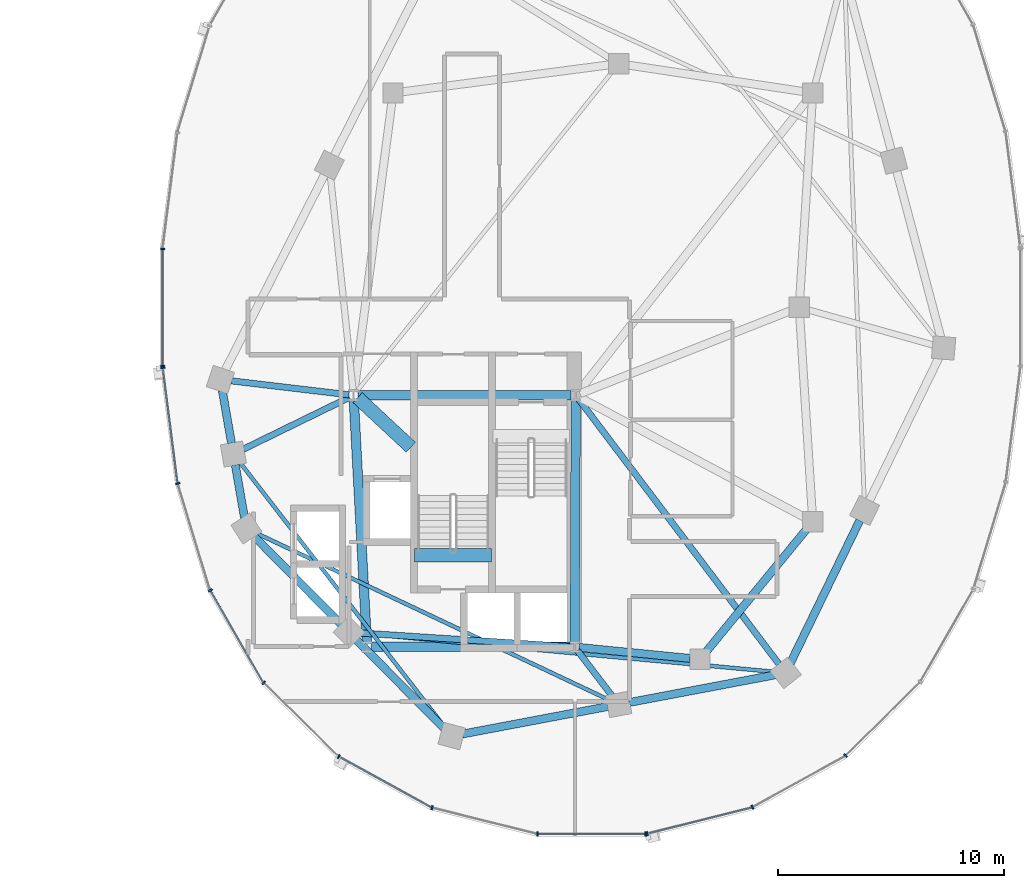
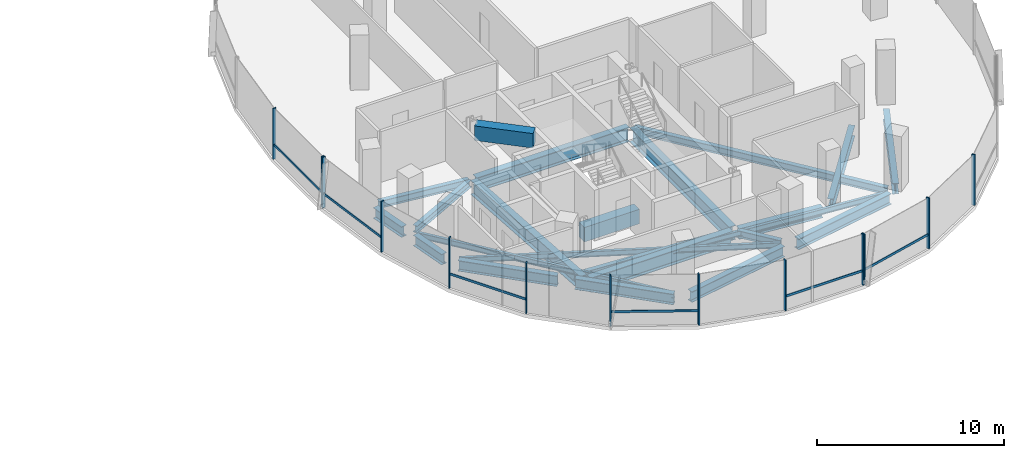
# One storey, part 6 of 21: 23 beams, 19 members, 3 elements without a shape of their own.
"""IFC4 building model written with IfcOpenShell, lengths in metres."""

from ifc_helpers import new_model, si_unit, direction, frame, origin, origin_2d, place, context, subcontext, project, spatial, rectangle, i_section, extrude, material, material_profile, profile_set, type_object, element, aggregate, save


model = new_model("IFC4")

# Units and contexts
model_context = context("Model", 3, precision=1e-05, world=origin(), true_north=direction((0.0, 1.0)))
body_context = subcontext(model_context, "Body", "Model", "MODEL_VIEW")
ifc_project = project(units=[si_unit("LENGTHUNIT", "METRE"), si_unit("AREAUNIT", "SQUARE_METRE"), si_unit("VOLUMEUNIT", "CUBIC_METRE"), si_unit("PLANEANGLEUNIT", "RADIAN"), si_unit("MASSUNIT", "GRAM", prefix="KILO"), si_unit("THERMODYNAMICTEMPERATUREUNIT", "KELVIN"), si_unit("POWERUNIT", "WATT")], contexts=[model_context])

# Site, building, storey
site_placement = place(None, origin())
site = spatial("IfcSite", under=ifc_project, at=site_placement, CompositionType="ELEMENT")
building_placement = place(site_placement, origin())
building = spatial("IfcBuilding", under=site, at=building_placement, Name="Cundina Bronze Exchange", CompositionType="ELEMENT")
storey_placement = place(building_placement, frame((0.0, 0.0, 183.60009765625)))
storey = spatial("IfcBuildingStorey", under=building, at=storey_placement, Name="L48", CompositionType="ELEMENT", Elevation=183.60009765625)

# Beams
ifc_material_1 = material(Name="Concrete C60/75", Category="concrete")
ifc_material_profile_1 = material_profile(ifc_material_1, rectangle(XDim=0.60009765625, YDim=0.949951171875, at=origin_2d()), Name="RC600X950", Category="concrete")
ifc_profile_set_1 = profile_set([ifc_material_profile_1], Name="Concrete C60/75")
beam_type_1 = type_object("IfcBeamType", Name="BM-COUP-RC950", PredefinedType="LINTEL", material=ifc_profile_set_1)
beam_1_placement = place(storey_placement, frame((24.159912109375, -10.97998046875, -0.47509765625), z_axis=(1.0, 0.0, 0.0), x_axis=(0.0, 1.0, 0.0)))
element("IfcBeam", 1, at=beam_1_placement, inside=storey, type_object=beam_type_1, Name="L48 Stair E2 Landing Header Beam", PredefinedType="LINTEL", context=body_context, shape_type="SweptSolid", body=[
    extrude(rectangle(XDim=0.60009765625, YDim=0.949951171875, at=origin_2d()), origin(), (0.0, 0.0, 1.0), 3.400146484375),
])
beam_2_placement = place(storey_placement, frame((21.6298828125, -4.0, 2.844970703125), z_axis=(0.731490439815, -0.681851696822, 0.0), x_axis=(0.681851696822, 0.731490439815, 0.0)))
element("IfcBeam", 2, at=beam_2_placement, inside=storey, type_object=beam_type_1, Name="L48 E Core Shear Coupling Lintel Beam", PredefinedType="LINTEL", context=body_context, shape_type="SweptSolid", body=[
    extrude(rectangle(XDim=0.60009765625, YDim=0.949951171875, at=origin_2d()), origin(), (0.0, 0.0, 1.0), 3.226318359375),
])
ifc_material_2 = material(Name="Steel ASTM A992 Grade 50", Category="steel")
ifc_material_profile_2 = material_profile(ifc_material_2, i_section(OverallWidth=0.280029296875, OverallDepth=0.462890625, WebThickness=0.0107421875, FlangeThickness=0.017333984375, FilletRadius=0.011962890625, at=origin_2d()), Name="W18X76", Category="steel")
ifc_profile_set_2 = profile_set([ifc_material_profile_2], Name="Steel ASTM A992 Grade 50")
beam_type_2 = type_object("IfcBeamType", Name="BM-FLR-W18A", PredefinedType="BEAM", material=ifc_profile_set_2)
beam_3_placement = place(storey_placement, frame((21.247314453125, -3.8759765625, -0.4716796875), z_axis=(-0.993036158382, 0.11780996624, 0.0), x_axis=(-0.11780996624, -0.993036158382, 0.0)))
element("IfcBeam", 3, at=beam_3_placement, inside=storey, type_object=beam_type_2, Name="L48 Leg E Chordal Floor Beam 00", PredefinedType="BEAM", context=body_context, shape_type="SweptSolid", body=[
    extrude(i_section(OverallWidth=0.280029296875, OverallDepth=0.462890625, WebThickness=0.0107421875, FlangeThickness=0.017333984375, FilletRadius=0.011962890625, at=origin_2d()), origin(), (0.0, 0.0, 1.0), 5.249267578125),
])
beam_4_placement = place(storey_placement, frame((21.2666015625, -3.989501953125, -0.4716796875), z_axis=(-0.898604300669, -0.438759969481, 0.0), x_axis=(0.438759969481, -0.898604300669, 0.0)))
element("IfcBeam", 4, at=beam_4_placement, inside=storey, type_object=beam_type_2, Name="L48 Leg E Chordal Floor Beam 01", PredefinedType="BEAM", context=body_context, shape_type="SweptSolid", body=[
    extrude(i_section(OverallWidth=0.280029296875, OverallDepth=0.462890625, WebThickness=0.0107421875, FlangeThickness=0.017333984375, FilletRadius=0.011962890625, at=origin_2d()), origin(), (0.0, 0.0, 1.0), 5.23388671875),
])
beam_5_placement = place(storey_placement, frame((31.04638671875, -15.036865234375, -0.4716796875), z_axis=(-0.99789334888, 0.064875760192, 0.0), x_axis=(-0.064875760192, -0.99789334888, 0.0)))
element("IfcBeam", 5, at=beam_5_placement, inside=storey, type_object=beam_type_2, Name="L48 Leg E Chordal Floor Beam 03", PredefinedType="BEAM", context=body_context, shape_type="SweptSolid", body=[
    extrude(i_section(OverallWidth=0.280029296875, OverallDepth=0.462890625, WebThickness=0.0107421875, FlangeThickness=0.017333984375, FilletRadius=0.011962890625, at=origin_2d()), origin(), (0.0, 0.0, 1.0), 9.328857421875),
])
beam_6_placement = place(storey_placement, frame((31.373779296875, -15.2119140625, -0.4716796875), z_axis=(0.607450107571, -0.794357832977, 0.0), x_axis=(0.794357832977, 0.607450107571, 0.0)))
element("IfcBeam", 6, at=beam_6_placement, inside=storey, type_object=beam_type_2, Name="L48 Leg E Chordal Floor Beam 05", PredefinedType="BEAM", context=body_context, shape_type="SweptSolid", body=[
    extrude(i_section(OverallWidth=0.280029296875, OverallDepth=0.462890625, WebThickness=0.0107421875, FlangeThickness=0.017333984375, FilletRadius=0.011962890625, at=origin_2d()), origin(), (0.0, 0.0, 1.0), 2.518310546875),
])
beam_7_placement = place(storey_placement, frame((31.423095703125, -4.062744140625, -0.4716796875), z_axis=(0.603103901721, -0.797662637792, 0.0), x_axis=(0.797662637792, 0.603103901721, 0.0)))
element("IfcBeam", 7, at=beam_7_placement, inside=storey, type_object=beam_type_2, Name="L48 Leg E Chordal Floor Beam 06", PredefinedType="BEAM", context=body_context, shape_type="SweptSolid", body=[
    extrude(i_section(OverallWidth=0.280029296875, OverallDepth=0.462890625, WebThickness=0.0107421875, FlangeThickness=0.017333984375, FilletRadius=0.011962890625, at=origin_2d()), origin(), (0.0, 0.0, 1.0), 14.72802734375),
])
ifc_material_profile_3 = material_profile(ifc_material_2, i_section(OverallWidth=0.172119140625, OverallDepth=0.35791015625, WebThickness=0.0078125, FlangeThickness=0.01318359375, FilletRadius=0.010009765625, at=origin_2d()), Name="W14X38", Category="steel")
ifc_profile_set_3 = profile_set([ifc_material_profile_3], Name="Steel ASTM A992 Grade 50")
beam_type_3 = type_object("IfcBeamType", Name="BM-JST-W14", PredefinedType="JOIST", material=ifc_profile_set_3)
beam_8_placement = place(storey_placement, frame((16.423583984375, -6.885986328125, -0.419189453125), z_axis=(0.61208354334, -0.790793105668, 0.0), x_axis=(0.790793105668, 0.61208354334, 0.0)))
element("IfcBeam", 8, at=beam_8_placement, inside=storey, type_object=beam_type_3, Name="L48 Leg E Lobe Floor Joist 01-04", PredefinedType="JOIST", context=body_context, shape_type="SweptSolid", body=[
    extrude(i_section(OverallWidth=0.172119140625, OverallDepth=0.35791015625, WebThickness=0.0078125, FlangeThickness=0.01318359375, FilletRadius=0.010009765625, at=origin_2d()), origin(), (0.0, 0.0, 1.0), 14.830810546875),
])
beam_9_placement = place(storey_placement, frame((17.14111328125, -10.008544921875, -0.419189453125), z_axis=(0.904074252188, -0.427375416385, 0.0), x_axis=(0.427375416385, 0.904074252188, 0.0)))
element("IfcBeam", 9, at=beam_9_placement, inside=storey, type_object=beam_type_3, Name="L48 Leg E Lobe Floor Joist 02-05", PredefinedType="JOIST", context=body_context, shape_type="SweptSolid", body=[
    extrude(i_section(OverallWidth=0.172119140625, OverallDepth=0.35791015625, WebThickness=0.0078125, FlangeThickness=0.01318359375, FilletRadius=0.010009765625, at=origin_2d()), origin(), (0.0, 0.0, 1.0), 17.274658203125),
])
beam_10_placement = place(storey_placement, frame((21.73583984375, -14.4453125, -0.419189453125), z_axis=(0.995701840093, -0.092616659595, 0.0), x_axis=(0.092616659595, 0.995701840093, 0.0)))
element("IfcBeam", 10, at=beam_10_placement, inside=storey, type_object=beam_type_3, Name="L48 Leg E Lobe Floor Joist 03-06", PredefinedType="JOIST", context=body_context, shape_type="SweptSolid", body=[
    extrude(i_section(OverallWidth=0.172119140625, OverallDepth=0.35791015625, WebThickness=0.0078125, FlangeThickness=0.01318359375, FilletRadius=0.010009765625, at=origin_2d()), origin(), (0.0, 0.0, 1.0), 18.45751953125),
])
ifc_material_profile_4 = material_profile(ifc_material_2, i_section(OverallWidth=0.35498046875, OverallDepth=0.695068359375, WebThickness=0.015380859375, FlangeThickness=0.02490234375, FilletRadius=0.01806640625, at=origin_2d()), Name="W27X146", Category="steel")
ifc_profile_set_4 = profile_set([ifc_material_profile_4], Name="Steel ASTM A992 Grade 50")
beam_type_4 = type_object("IfcBeamType", Name="BM-RING-W27", PredefinedType="USERDEFINED", material=ifc_profile_set_4)
beam_11_placement = place(storey_placement, frame((31.452880859375, -15.070068359375, -0.587646484375), z_axis=(0.995123020608, -0.098641643622, 0.0), x_axis=(0.098641643622, 0.995123020608, 0.0)))
element("IfcBeam", 11, at=beam_11_placement, inside=storey, type_object=beam_type_4, Name="L48 E Inner Structural Ring Girder 01", ObjectType="GIRDER", PredefinedType="USERDEFINED", context=body_context, shape_type="SweptSolid", body=[
    extrude(i_section(OverallWidth=0.35498046875, OverallDepth=0.695068359375, WebThickness=0.015380859375, FlangeThickness=0.02490234375, FilletRadius=0.01806640625, at=origin_2d()), origin(), (0.0, 0.0, 1.0), 4.935302734375),
])
beam_12_placement = place(storey_placement, frame((37.07763671875, -15.26123046875, -0.587646484375), z_axis=(0.633912590175, 0.77340469873, 0.0), x_axis=(-0.77340469873, 0.633912590175, 0.0)))
element("IfcBeam", 12, at=beam_12_placement, inside=storey, type_object=beam_type_4, Name="L48 E Inner Structural Ring Girder 02", ObjectType="GIRDER", PredefinedType="USERDEFINED", context=body_context, shape_type="SweptSolid", body=[
    extrude(i_section(OverallWidth=0.35498046875, OverallDepth=0.695068359375, WebThickness=0.015380859375, FlangeThickness=0.02490234375, FilletRadius=0.01806640625, at=origin_2d()), origin(), (0.0, 0.0, 1.0), 7.01123046875),
])
for number, where, z_axis, x_axis, name in (
    (13, (15.6337890625, -3.680908203125, -0.587646484375), (0.171666718895, -0.985155083032, 0.0), (0.985155083032, 0.171666718895, 0.0), "L48 E Perimeter Ring Girder 00"),
    (14, (16.208740234375, -6.980712890625, -0.587646484375), (0.171666718895, -0.985155083032, 0.0), (0.985155083032, 0.171666718895, 0.0), "L48 E Perimeter Ring Girder 01"),
):
    element("IfcBeam", number, at=place(storey_placement, frame(where, z_axis=z_axis, x_axis=x_axis)), inside=storey, type_object=beam_type_4, Name=name, ObjectType="GIRDER", PredefinedType="USERDEFINED", context=body_context, shape_type="SweptSolid", body=[
        extrude(i_section(OverallWidth=0.35498046875, OverallDepth=0.695068359375, WebThickness=0.015380859375, FlangeThickness=0.02490234375, FilletRadius=0.01806640625, at=origin_2d()), origin(), (0.0, 0.0, 1.0), 2.37353515625),
    ])
beam_13_placement = place(storey_placement, frame((17.043212890625, -10.14697265625, -0.587646484375), z_axis=(0.703230112979, -0.710962311378, 0.0), x_axis=(0.710962311378, 0.703230112979, 0.0)))
element("IfcBeam", 15, at=beam_13_placement, inside=storey, type_object=beam_type_4, Name="L48 E Perimeter Ring Girder 02", ObjectType="GIRDER", PredefinedType="USERDEFINED", context=body_context, shape_type="SweptSolid", body=[
    extrude(i_section(OverallWidth=0.35498046875, OverallDepth=0.695068359375, WebThickness=0.015380859375, FlangeThickness=0.02490234375, FilletRadius=0.01806640625, at=origin_2d()), origin(), (0.0, 0.0, 1.0), 5.493896484375),
])
beam_14_placement = place(storey_placement, frame((21.59326171875, -14.746826171875, -0.587646484375), z_axis=(0.703207895705, -0.710984286337, 0.0), x_axis=(0.710984286337, 0.703207895705, 0.0)))
element("IfcBeam", 16, at=beam_14_placement, inside=storey, type_object=beam_type_4, Name="L48 E Perimeter Ring Girder 03", ObjectType="GIRDER", PredefinedType="USERDEFINED", context=body_context, shape_type="SweptSolid", body=[
    extrude(i_section(OverallWidth=0.35498046875, OverallDepth=0.695068359375, WebThickness=0.015380859375, FlangeThickness=0.02490234375, FilletRadius=0.01806640625, at=origin_2d()), origin(), (0.0, 0.0, 1.0), 5.494140625),
])
beam_15_placement = place(storey_placement, frame((26.279541015625, -18.9091796875, -0.587646484375), z_axis=(0.982571532667, 0.185884865421, 0.0), x_axis=(-0.185884865421, 0.982571532667, 0.0)))
element("IfcBeam", 17, at=beam_15_placement, inside=storey, type_object=beam_type_4, Name="L48 E Perimeter Ring Girder 04", ObjectType="GIRDER", PredefinedType="USERDEFINED", context=body_context, shape_type="SweptSolid", body=[
    extrude(i_section(OverallWidth=0.35498046875, OverallDepth=0.695068359375, WebThickness=0.015380859375, FlangeThickness=0.02490234375, FilletRadius=0.01806640625, at=origin_2d()), origin(), (0.0, 0.0, 1.0), 6.55517578125),
])
beam_16_placement = place(storey_placement, frame((33.679443359375, -17.50927734375, -0.587646484375), z_axis=(0.982572819495, 0.185878063226, 0.0), x_axis=(-0.185878063226, 0.982572819495, 0.0)))
element("IfcBeam", 18, at=beam_16_placement, inside=storey, type_object=beam_type_4, Name="L48 E Perimeter Ring Girder 05", ObjectType="GIRDER", PredefinedType="USERDEFINED", context=body_context, shape_type="SweptSolid", body=[
    extrude(i_section(OverallWidth=0.35498046875, OverallDepth=0.695068359375, WebThickness=0.015380859375, FlangeThickness=0.02490234375, FilletRadius=0.01806640625, at=origin_2d()), origin(), (0.0, 0.0, 1.0), 6.555419921875),
])
beam_17_placement = place(storey_placement, frame((40.8134765625, -15.760986328125, -0.587646484375), z_axis=(0.437196998825, 0.89936576776, 0.0), x_axis=(-0.89936576776, 0.437196998825, 0.0)))
element("IfcBeam", 19, at=beam_17_placement, inside=storey, type_object=beam_type_4, Name="L48 E Perimeter Ring Girder 06", ObjectType="GIRDER", PredefinedType="USERDEFINED", context=body_context, shape_type="SweptSolid", body=[
    extrude(i_section(OverallWidth=0.35498046875, OverallDepth=0.695068359375, WebThickness=0.015380859375, FlangeThickness=0.02490234375, FilletRadius=0.01806640625, at=origin_2d()), origin(), (0.0, 0.0, 1.0), 7.029541015625),
])
ifc_material_profile_5 = material_profile(ifc_material_2, i_section(OverallWidth=0.41796875, OverallDepth=0.927001953125, WebThickness=0.019287109375, FlangeThickness=0.031982421875, FilletRadius=0.02392578125, at=origin_2d()), Name="W36X231", Category="steel")
ifc_profile_set_5 = profile_set([ifc_material_profile_5], Name="Steel ASTM A992 Grade 50")
beam_type_5 = type_object("IfcBeamType", Name="BM-WRN-W36B", PredefinedType="USERDEFINED", material=ifc_profile_set_5)
beam_18_placement = place(storey_placement, frame((31.095947265625, -3.89990234375, -0.70361328125), z_axis=(-1.0, 0.0, 0.0), x_axis=(0.0, -1.0, 0.0)))
element("IfcBeam", 20, at=beam_18_placement, inside=storey, type_object=beam_type_5, Name="L48 E Core Perimeter Tie Girder 1", ObjectType="GIRDER", PredefinedType="USERDEFINED", context=body_context, shape_type="SweptSolid", body=[
    extrude(i_section(OverallWidth=0.41796875, OverallDepth=0.927001953125, WebThickness=0.019287109375, FlangeThickness=0.031982421875, FilletRadius=0.02392578125, at=origin_2d()), origin(), (0.0, 0.0, 1.0), 9.44189453125),
])
beam_19_placement = place(storey_placement, frame((21.4609375, -4.103759765625, -0.70361328125), z_axis=(0.053739193498, -0.998555005537, 0.0), x_axis=(0.998555005537, 0.053739193498, 0.0)))
element("IfcBeam", 21, at=beam_19_placement, inside=storey, type_object=beam_type_5, Name="L48 E Core Perimeter Tie Girder 2", ObjectType="GIRDER", PredefinedType="USERDEFINED", context=body_context, shape_type="SweptSolid", body=[
    extrude(i_section(OverallWidth=0.41796875, OverallDepth=0.927001953125, WebThickness=0.019287109375, FlangeThickness=0.031982421875, FilletRadius=0.02392578125, at=origin_2d()), origin(), (0.0, 0.0, 1.0), 10.758056640625),
])
beam_20_placement = place(storey_placement, frame((22.25390625, -15.050048828125, -0.70361328125), z_axis=(1.0, 0.0, 0.0), x_axis=(0.0, 1.0, 0.0)))
element("IfcBeam", 22, at=beam_20_placement, inside=storey, type_object=beam_type_5, Name="L48 E Core Perimeter Tie Girder 3", ObjectType="GIRDER", PredefinedType="USERDEFINED", context=body_context, shape_type="SweptSolid", body=[
    extrude(i_section(OverallWidth=0.41796875, OverallDepth=0.927001953125, WebThickness=0.019287109375, FlangeThickness=0.031982421875, FilletRadius=0.02392578125, at=origin_2d()), origin(), (0.0, 0.0, 1.0), 8.7919921875),
])
beam_21_placement = place(storey_placement, frame((31.2509765625, -14.845947265625, -0.70361328125), z_axis=(0.004477329608, 0.99998997671, 0.0), x_axis=(-0.99998997671, 0.004477329608, 0.0)))
element("IfcBeam", 23, at=beam_21_placement, inside=storey, type_object=beam_type_5, Name="L48 E Core Perimeter Tie Girder 4", ObjectType="GIRDER", PredefinedType="USERDEFINED", context=body_context, shape_type="SweptSolid", body=[
    extrude(i_section(OverallWidth=0.41796875, OverallDepth=0.927001953125, WebThickness=0.019287109375, FlangeThickness=0.031982421875, FilletRadius=0.02392578125, at=origin_2d()), origin(), (0.0, 0.0, 1.0), 10.741943359375),
])

# Curtain wall, members
ifc_material_3 = material(Name="Anodised Bronze Aluminium 6063-T6", Category="aluminium")
curtain_wall_type = type_object("IfcCurtainWallType", Name="CWS-WST-PIN", PredefinedType="NOTDEFINED", material=ifc_material_3)
curtain_wall_1_placement = place(storey_placement, origin())
curtain_wall_1 = element("IfcCurtainWall", 24, at=curtain_wall_1_placement, inside=storey, type_object=curtain_wall_type, Name="L48 CW-04 Curtain Wall Run CWR-L48-E2", PredefinedType="NOTDEFINED")
ifc_material_profile_6 = material_profile(ifc_material_3, rectangle(XDim=0.070068359375, YDim=0.18994140625, at=origin_2d()), Name="AL70X190", Category="aluminium")
ifc_profile_set_6 = profile_set([ifc_material_profile_6], Name="Anodised Bronze Aluminium 6063-T6")
member_type_1 = type_object("IfcMemberType", Name="CWM-MUL-190", PredefinedType="MULLION", material=ifc_profile_set_6)
member_1_placement = place(storey_placement, frame((12.992919921875, 2.593017578125, 0.0), z_axis=(0.0, 0.0, 1.0), x_axis=(0.0, -1.0, 0.0)))
member_1 = element("IfcMember", 25, at=member_1_placement, type_object=member_type_1, Name="CW-04 Mullion 7", PredefinedType="MULLION", context=body_context, shape_type="SweptSolid", body=[
    extrude(rectangle(XDim=0.070068359375, YDim=0.18994140625, at=origin_2d()), origin(), (0.0, 0.0, 1.0), 3.31982421875),
])
member_2_placement = place(storey_placement, frame((12.992919921875, -2.593017578125, 0.0), z_axis=(0.0, 0.0, 1.0), x_axis=(0.0, -1.0, 0.0)))
member_2 = element("IfcMember", 26, at=member_2_placement, type_object=member_type_1, Name="CW-04 End Mullion", PredefinedType="MULLION", context=body_context, shape_type="SweptSolid", body=[
    extrude(rectangle(XDim=0.070068359375, YDim=0.18994140625, at=origin_2d()), origin(), (0.0, 0.0, 1.0), 3.31982421875),
])

curtain_wall_2_placement = place(storey_placement, origin())
curtain_wall_2 = element("IfcCurtainWall", 27, at=curtain_wall_2_placement, inside=storey, type_object=curtain_wall_type, Name="L48 CW-04 Curtain Wall Run CWR-L48-E3", PredefinedType="NOTDEFINED")
member_3_placement = place(storey_placement, frame((12.998291015625, -2.676025390625, 0.0), z_axis=(0.0, 0.0, 1.0), x_axis=(0.126545236492, -0.991960837494, 0.0)))
member_3 = element("IfcMember", 28, at=member_3_placement, type_object=member_type_1, Name="CW-04 Mullion 1", PredefinedType="MULLION", context=body_context, shape_type="SweptSolid", body=[
    extrude(rectangle(XDim=0.070068359375, YDim=0.18994140625, at=origin_2d()), origin(), (0.0, 0.0, 1.0), 3.31982421875),
])
member_4_placement = place(storey_placement, frame((13.6591796875, -7.80859375, 0.0), z_axis=(0.0, 0.0, 1.0), x_axis=(0.290034140915, -0.957016299288, 0.0)))
member_4 = element("IfcMember", 29, at=member_4_placement, type_object=member_type_1, Name="CW-04 Mullion 2", PredefinedType="MULLION", context=body_context, shape_type="SweptSolid", body=[
    extrude(rectangle(XDim=0.070068359375, YDim=0.18994140625, at=origin_2d()), origin(), (0.0, 0.0, 1.0), 3.31982421875),
])
member_5_placement = place(storey_placement, frame((15.10205078125, -12.541259765625, 0.0), z_axis=(0.0, 0.0, 1.0), x_axis=(0.498487739754, -0.866896748936, 0.0)))
member_5 = element("IfcMember", 30, at=member_5_placement, type_object=member_type_1, Name="CW-04 Mullion 3", PredefinedType="MULLION", context=body_context, shape_type="SweptSolid", body=[
    extrude(rectangle(XDim=0.070068359375, YDim=0.18994140625, at=origin_2d()), origin(), (0.0, 0.0, 1.0), 3.31982421875),
])
member_6_placement = place(storey_placement, frame((17.469482421875, -16.640380859375, 0.0), z_axis=(0.0, 0.0, 1.0), x_axis=(0.712026045991, -0.702153052995, 0.0)))
member_6 = element("IfcMember", 31, at=member_6_placement, type_object=member_type_1, Name="CW-04 Mullion 4", PredefinedType="MULLION", context=body_context, shape_type="SweptSolid", body=[
    extrude(rectangle(XDim=0.070068359375, YDim=0.18994140625, at=origin_2d()), origin(), (0.0, 0.0, 1.0), 3.31982421875),
])
member_7_placement = place(storey_placement, frame((20.79345703125, -19.906005859375, 0.0), z_axis=(0.0, 0.0, 1.0), x_axis=(0.875885937035, -0.482518212408, 0.0)))
member_7 = element("IfcMember", 32, at=member_7_placement, type_object=member_type_1, Name="CW-04 Mullion 5", PredefinedType="MULLION", context=body_context, shape_type="SweptSolid", body=[
    extrude(rectangle(XDim=0.070068359375, YDim=0.18994140625, at=origin_2d()), origin(), (0.0, 0.0, 1.0), 3.31982421875),
])
member_8_placement = place(storey_placement, frame((24.932373046875, -22.17626953125, 0.0), z_axis=(0.0, 0.0, 1.0), x_axis=(0.970084240161, -0.242768546132, 0.0)))
member_8 = element("IfcMember", 33, at=member_8_placement, type_object=member_type_1, Name="CW-04 Mullion 6", PredefinedType="MULLION", context=body_context, shape_type="SweptSolid", body=[
    extrude(rectangle(XDim=0.070068359375, YDim=0.18994140625, at=origin_2d()), origin(), (0.0, 0.0, 1.0), 3.31982421875),
])
member_9_placement = place(storey_placement, frame((29.60595703125, -23.3369140625, 0.0), z_axis=(0.0, 0.0, 1.0), x_axis=(1.0, 0.0, 0.0)))
member_9 = element("IfcMember", 34, at=member_9_placement, type_object=member_type_1, Name="CW-04 Mullion 7", PredefinedType="MULLION", context=body_context, shape_type="SweptSolid", body=[
    extrude(rectangle(XDim=0.070068359375, YDim=0.18994140625, at=origin_2d()), origin(), (0.0, 0.0, 1.0), 3.31982421875),
])
member_10_placement = place(storey_placement, frame((34.39404296875, -23.3369140625, 0.0), z_axis=(0.0, 0.0, 1.0), x_axis=(1.0, 0.0, 0.0)))
member_10 = element("IfcMember", 35, at=member_10_placement, type_object=member_type_1, Name="CW-04 End Mullion", PredefinedType="MULLION", context=body_context, shape_type="SweptSolid", body=[
    extrude(rectangle(XDim=0.070068359375, YDim=0.18994140625, at=origin_2d()), origin(), (0.0, 0.0, 1.0), 3.31982421875),
])

curtain_wall_3_placement = place(storey_placement, origin())
curtain_wall_3 = element("IfcCurtainWall", 36, at=curtain_wall_3_placement, inside=storey, type_object=curtain_wall_type, Name="L48 CW-04 Curtain Wall Run CWR-L48-E4", PredefinedType="NOTDEFINED")
member_11_placement = place(storey_placement, frame((34.462646484375, -23.32861328125, 0.0), z_axis=(0.0, 0.0, 1.0), x_axis=(0.970084240161, 0.242768546132, 0.0)))
member_11 = element("IfcMember", 37, at=member_11_placement, type_object=member_type_1, Name="CW-04 Mullion 1", PredefinedType="MULLION", context=body_context, shape_type="SweptSolid", body=[
    extrude(rectangle(XDim=0.070068359375, YDim=0.18994140625, at=origin_2d()), origin(), (0.0, 0.0, 1.0), 3.31982421875),
])
member_12_placement = place(storey_placement, frame((39.13037109375, -22.151611328125, 0.0), z_axis=(0.0, 0.0, 1.0), x_axis=(0.875885937035, 0.482518212408, 0.0)))
member_12 = element("IfcMember", 38, at=member_12_placement, type_object=member_type_1, Name="CW-04 Mullion 2", PredefinedType="MULLION", context=body_context, shape_type="SweptSolid", body=[
    extrude(rectangle(XDim=0.070068359375, YDim=0.18994140625, at=origin_2d()), origin(), (0.0, 0.0, 1.0), 3.31982421875),
])
member_13_placement = place(storey_placement, frame((43.259033203125, -19.86669921875, 0.0), z_axis=(0.0, 0.0, 1.0), x_axis=(0.712026045991, 0.702153052995, 0.0)))
member_13 = element("IfcMember", 39, at=member_13_placement, type_object=member_type_1, Name="CW-04 Mullion 3", PredefinedType="MULLION", context=body_context, shape_type="SweptSolid", body=[
    extrude(rectangle(XDim=0.070068359375, YDim=0.18994140625, at=origin_2d()), origin(), (0.0, 0.0, 1.0), 3.31982421875),
])

# Member
ifc_material_profile_7 = material_profile(ifc_material_3, rectangle(XDim=0.06494140625, YDim=0.14990234375, at=origin_2d()), Name="AL65X150", Category="aluminium")
ifc_profile_set_7 = profile_set([ifc_material_profile_7], Name="Anodised Bronze Aluminium 6063-T6")
member_type_2 = type_object("IfcMemberType", Name="CWM-TRN-150", PredefinedType="USERDEFINED", material=ifc_profile_set_7)
member_14_placement = place(storey_placement, frame((12.992919921875, 2.554443359375, 0.919921875), z_axis=(0.0, -1.0, 0.0), x_axis=(1.0, 0.0, 0.0)))
member_14 = element("IfcMember", 40, at=member_14_placement, type_object=member_type_2, Name="CW-04 Spandrel Transom 7", ObjectType="TRANSOM", PredefinedType="USERDEFINED", context=body_context, shape_type="SweptSolid", body=[
    extrude(rectangle(XDim=0.06494140625, YDim=0.14990234375, at=origin_2d()), origin(), (0.0, 0.0, 1.0), 5.10888671875),
])

aggregate(curtain_wall_1, [member_1, member_2, member_14])

member_15_placement = place(storey_placement, frame((13.003173828125, -2.71435546875, 0.919921875), z_axis=(0.12646340362, -0.991971273548, 0.0), x_axis=(0.991971273548, 0.12646340362, 0.0)))
member_15 = element("IfcMember", 41, at=member_15_placement, type_object=member_type_2, Name="CW-04 Spandrel Transom 1", ObjectType="TRANSOM", PredefinedType="USERDEFINED", context=body_context, shape_type="SweptSolid", body=[
    extrude(rectangle(XDim=0.06494140625, YDim=0.14990234375, at=origin_2d()), origin(), (0.0, 0.0, 1.0), 5.0966796875),
])

member_16_placement = place(storey_placement, frame((15.121337890625, -12.574462890625, 0.919921875), z_axis=(0.498479967047, -0.866901218394, 0.0), x_axis=(0.866901218394, 0.498479967047, 0.0)))
member_16 = element("IfcMember", 42, at=member_16_placement, type_object=member_type_2, Name="CW-04 Spandrel Transom 3", ObjectType="TRANSOM", PredefinedType="USERDEFINED", context=body_context, shape_type="SweptSolid", body=[
    extrude(rectangle(XDim=0.06494140625, YDim=0.14990234375, at=origin_2d()), origin(), (0.0, 0.0, 1.0), 4.66845703125),
])

member_17_placement = place(storey_placement, frame((20.8271484375, -19.924560546875, 0.919921875), z_axis=(0.875878981549, -0.482530838062, 0.0), x_axis=(0.482530838062, 0.875878981549, 0.0)))
member_17 = element("IfcMember", 43, at=member_17_placement, type_object=member_type_2, Name="CW-04 Spandrel Transom 5", ObjectType="TRANSOM", PredefinedType="USERDEFINED", context=body_context, shape_type="SweptSolid", body=[
    extrude(rectangle(XDim=0.06494140625, YDim=0.14990234375, at=origin_2d()), origin(), (0.0, 0.0, 1.0), 4.65380859375),
])

member_18_placement = place(storey_placement, frame((29.64453125, -23.3369140625, 0.919921875), z_axis=(1.0, 0.0, 0.0), x_axis=(0.0, 1.0, 0.0)))
member_18 = element("IfcMember", 44, at=member_18_placement, type_object=member_type_2, Name="CW-04 Spandrel Transom 7", ObjectType="TRANSOM", PredefinedType="USERDEFINED", context=body_context, shape_type="SweptSolid", body=[
    extrude(rectangle(XDim=0.06494140625, YDim=0.14990234375, at=origin_2d()), origin(), (0.0, 0.0, 1.0), 4.7109375),
])

aggregate(curtain_wall_2, [member_3, member_15, member_4, member_5, member_16, member_6, member_7, member_17, member_8, member_9, member_10, member_18])

member_19_placement = place(storey_placement, frame((34.5, -23.319091796875, 0.919921875), z_axis=(0.970100130035, 0.242705042606, 0.0), x_axis=(-0.242705042606, 0.970100130035, 0.0)))
member_19 = element("IfcMember", 45, at=member_19_placement, type_object=member_type_2, Name="CW-04 Spandrel Transom 1", ObjectType="TRANSOM", PredefinedType="USERDEFINED", context=body_context, shape_type="SweptSolid", body=[
    extrude(rectangle(XDim=0.06494140625, YDim=0.14990234375, at=origin_2d()), origin(), (0.0, 0.0, 1.0), 4.746826171875),
])

aggregate(curtain_wall_3, [member_11, member_19, member_12, member_13])

save(model, "model.ifc")
